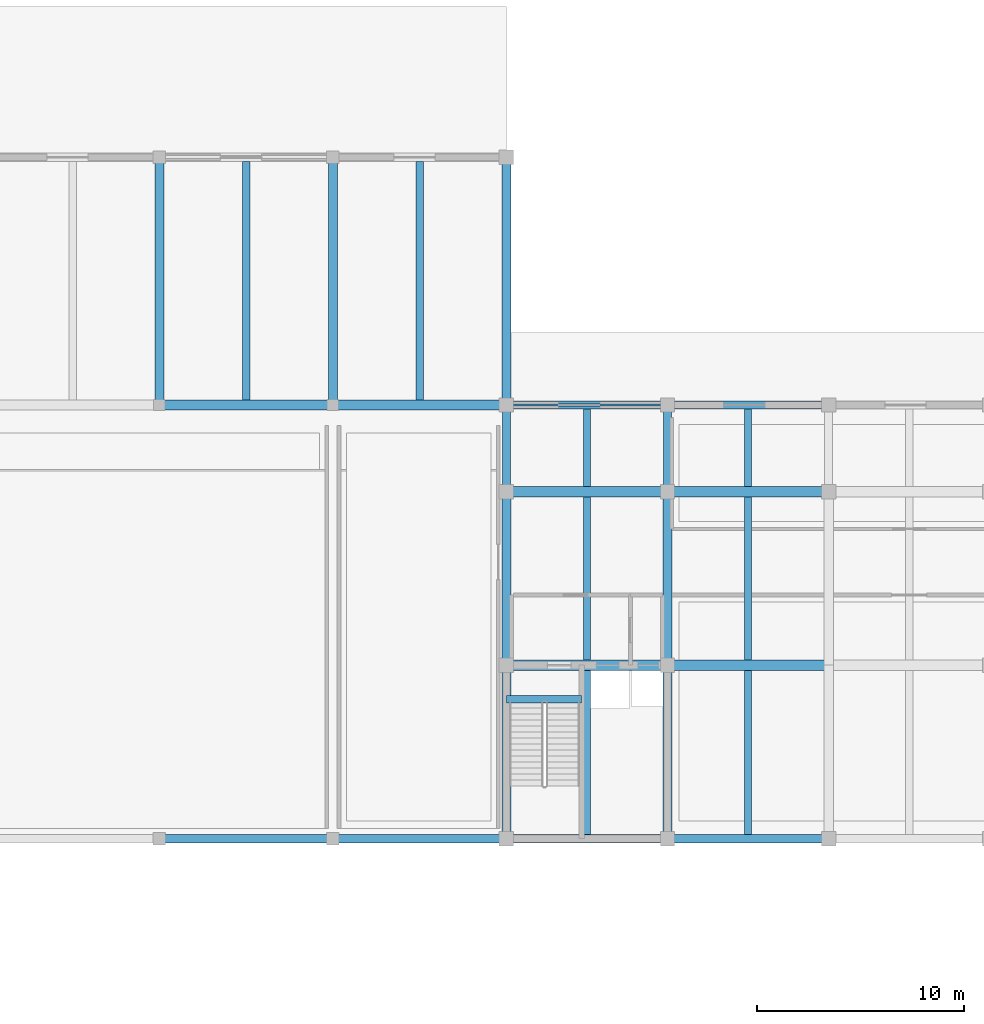
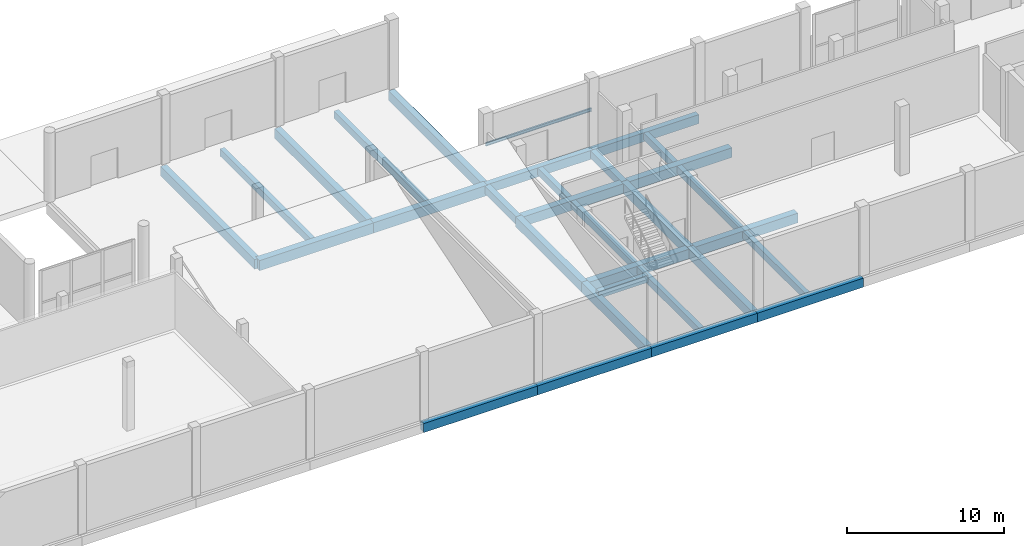
# One storey, part 16 of 41: 31 beams.
"""IFC4 building model written with IfcOpenShell, lengths in metres."""

from ifc_helpers import new_model, si_unit, direction, frame, origin, origin_2d, place, context, subcontext, project, spatial, rectangle, i_section, extrude, material, material_profile, profile_set, type_object, element, save


model = new_model("IFC4")

# Units and contexts
model_context = context("Model", 3, precision=1e-05, world=origin(), true_north=direction((0.0, 1.0)))
body_context = subcontext(model_context, "Body", "Model", "MODEL_VIEW")
ifc_project = project(units=[si_unit("LENGTHUNIT", "METRE"), si_unit("AREAUNIT", "SQUARE_METRE"), si_unit("VOLUMEUNIT", "CUBIC_METRE"), si_unit("PLANEANGLEUNIT", "RADIAN"), si_unit("MASSUNIT", "GRAM", prefix="KILO")], contexts=[model_context])

# Site, building, storey
site_placement = place(None, origin())
site = spatial("IfcSite", under=ifc_project, at=site_placement, CompositionType="ELEMENT")
building_placement = place(site_placement, origin())
building = spatial("IfcBuilding", under=site, at=building_placement, Name="Vharandega Faculty of Natural Sciences", CompositionType="ELEMENT")
storey_placement = place(building_placement, origin())
storey = spatial("IfcBuildingStorey", under=building, at=storey_placement, Name="L00", CompositionType="ELEMENT", Elevation=0.0)

# Beams
ifc_material_1 = material(Name="Concrete C40/50", Category="concrete")
ifc_material_profile_1 = material_profile(ifc_material_1, rectangle(XDim=0.5, YDim=0.800048828125, at=origin_2d()), Name="RC 500x800")
ifc_profile_set_1 = profile_set([ifc_material_profile_1], Name="Concrete C40/50")
beam_type_1 = type_object("IfcBeamType", Name="Podium Heavy Girder 500x800", PredefinedType="BEAM", material=ifc_profile_set_1)
beam_1_placement = place(storey_placement, frame((98.0, 85.0, -0.699951171875), z_axis=(1.0, 0.0, 0.0), x_axis=(0.0, 1.0, 0.0)))
element("IfcBeam", 1, at=beam_1_placement, inside=storey, type_object=beam_type_1, Name="Beam L00 M/13-14", PredefinedType="BEAM", context=body_context, shape_type="SweptSolid", body=[
    extrude(rectangle(XDim=0.5, YDim=0.800048828125, at=origin_2d()), origin(), (0.0, 0.0, 1.0), 8.39990234375),
])
beam_2_placement = place(storey_placement, frame((106.39990234375, 85.0, -0.699951171875), z_axis=(1.0, 0.0, 0.0), x_axis=(0.0, 1.0, 0.0)))
element("IfcBeam", 2, at=beam_2_placement, inside=storey, type_object=beam_type_1, Name="Beam L00 M/14-15", PredefinedType="BEAM", context=body_context, shape_type="SweptSolid", body=[
    extrude(rectangle(XDim=0.5, YDim=0.800048828125, at=origin_2d()), origin(), (0.0, 0.0, 1.0), 8.400146484375),
])
ifc_material_2 = material(Name="Concrete C40/50", Category="concrete")
ifc_material_profile_2 = material_profile(ifc_material_2, rectangle(XDim=0.5, YDim=0.75, at=origin_2d()), Name="RC 500x750")
ifc_profile_set_2 = profile_set([ifc_material_profile_2], Name="Concrete C40/50")
beam_type_2 = type_object("IfcBeamType", Name="Podium Primary Beam 500x750", PredefinedType="BEAM", material=ifc_profile_set_2)
beam_3_placement = place(storey_placement, frame((114.800048828125, 72.39990234375, -0.675048828125), z_axis=(1.0, 0.0, 0.0), x_axis=(0.0, 1.0, 0.0)))
element("IfcBeam", 3, at=beam_3_placement, inside=storey, type_object=beam_type_2, Name="Beam L00 K/15-16", PredefinedType="BEAM", context=body_context, shape_type="SweptSolid", body=[
    extrude(rectangle(XDim=0.5, YDim=0.75, at=origin_2d()), origin(), (0.0, 0.0, 1.0), 7.800048828125),
])
beam_4_placement = place(storey_placement, frame((122.60009765625, 72.39990234375, -0.675048828125), z_axis=(1.0, 0.0, 0.0), x_axis=(0.0, 1.0, 0.0)))
element("IfcBeam", 4, at=beam_4_placement, inside=storey, type_object=beam_type_2, Name="Beam L00 K/16-17", PredefinedType="BEAM", context=body_context, shape_type="SweptSolid", body=[
    extrude(rectangle(XDim=0.5, YDim=0.75, at=origin_2d()), origin(), (0.0, 0.0, 1.0), 7.7998046875),
])
beam_5_placement = place(storey_placement, frame((114.800048828125, 80.800048828125, -0.675048828125), z_axis=(1.0, 0.0, 0.0), x_axis=(0.0, 1.0, 0.0)))
element("IfcBeam", 5, at=beam_5_placement, inside=storey, type_object=beam_type_2, Name="Beam L00 L/15-16", PredefinedType="BEAM", context=body_context, shape_type="SweptSolid", body=[
    extrude(rectangle(XDim=0.5, YDim=0.75, at=origin_2d()), origin(), (0.0, 0.0, 1.0), 7.800048828125),
])
beam_6_placement = place(storey_placement, frame((122.60009765625, 80.800048828125, -0.675048828125), z_axis=(1.0, 0.0, 0.0), x_axis=(0.0, 1.0, 0.0)))
element("IfcBeam", 6, at=beam_6_placement, inside=storey, type_object=beam_type_2, Name="Beam L00 L/16-17", PredefinedType="BEAM", context=body_context, shape_type="SweptSolid", body=[
    extrude(rectangle(XDim=0.5, YDim=0.75, at=origin_2d()), origin(), (0.0, 0.0, 1.0), 7.7998046875),
])
ifc_material_3 = material(Name="Concrete C40/50", Category="concrete")
ifc_material_profile_3 = material_profile(ifc_material_3, rectangle(XDim=0.39990234375, YDim=0.60009765625, at=origin_2d()), Name="RC 400x600")
ifc_profile_set_3 = profile_set([ifc_material_profile_3], Name="Concrete C40/50")
beam_type_3 = type_object("IfcBeamType", Name="Podium Rib Beam 400x600", PredefinedType="BEAM", material=ifc_profile_set_3)
for number, where, z_axis, x_axis, name in (
    (7, (114.800048828125, 80.800048828125, -0.60009765625), (0.0, 1.0, 0.0), (-1.0, 0.0, 0.0), "Beam L00 15/L-M"),
    (8, (122.60009765625, 80.800048828125, -0.60009765625), (0.0, 1.0, 0.0), (-1.0, 0.0, 0.0), "Beam L00 16/L-M"),
):
    element("IfcBeam", number, at=place(storey_placement, frame(where, z_axis=z_axis, x_axis=x_axis)), inside=storey, type_object=beam_type_3, Name=name, PredefinedType="BEAM", context=body_context, shape_type="SweptSolid", body=[
        extrude(rectangle(XDim=0.39990234375, YDim=0.60009765625, at=origin_2d()), origin(), (0.0, 0.0, 1.0), 4.199951171875),
    ])
ifc_material_4 = material(Name="Concrete C40/50", Category="concrete")
ifc_material_profile_4 = material_profile(ifc_material_4, rectangle(XDim=0.35009765625, YDim=0.550048828125, at=origin_2d()), Name="RC 350x550")
ifc_profile_set_4 = profile_set([ifc_material_profile_4], Name="Concrete C40/50")
beam_type_4 = type_object("IfcBeamType", Name="Podium Secondary Beam 350x550", PredefinedType="JOIST", material=ifc_profile_set_4)
for number, where, z_axis, x_axis, name in (
    (9, (102.199951171875, 85.25, -0.574951171875), (0.0, 1.0, 0.0), (-1.0, 0.0, 0.0), "Secondary Joist L00 13-14/M-N"),
    (10, (110.60009765625, 85.25, -0.574951171875), (0.0, 1.0, 0.0), (-1.0, 0.0, 0.0), "Secondary Joist L00 14-15/M-N"),
):
    element("IfcBeam", number, at=place(storey_placement, frame(where, z_axis=z_axis, x_axis=x_axis)), inside=storey, type_object=beam_type_4, Name=name, PredefinedType="JOIST", context=body_context, shape_type="SweptSolid", body=[
        extrude(rectangle(XDim=0.35009765625, YDim=0.550048828125, at=origin_2d()), origin(), (0.0, 0.0, 1.0), 11.550048828125),
    ])
beam_7_placement = place(storey_placement, frame((118.699951171875, 64.199951171875, -0.574951171875), z_axis=(0.0, 1.0, 0.0), x_axis=(-1.0, 0.0, 0.0)))
element("IfcBeam", 11, at=beam_7_placement, inside=storey, type_object=beam_type_4, Name="Secondary Joist L00 15-16/J-K", PredefinedType="JOIST", context=body_context, shape_type="SweptSolid", body=[
    extrude(rectangle(XDim=0.35009765625, YDim=0.550048828125, at=origin_2d()), origin(), (0.0, 0.0, 1.0), 7.949951171875),
])
beam_8_placement = place(storey_placement, frame((118.699951171875, 72.64990234375, -0.574951171875), z_axis=(0.0, 1.0, 0.0), x_axis=(-1.0, 0.0, 0.0)))
element("IfcBeam", 12, at=beam_8_placement, inside=storey, type_object=beam_type_4, Name="Secondary Joist L00 15-16/K-L", PredefinedType="JOIST", context=body_context, shape_type="SweptSolid", body=[
    extrude(rectangle(XDim=0.35009765625, YDim=0.550048828125, at=origin_2d()), origin(), (0.0, 0.0, 1.0), 7.900146484375),
])
beam_9_placement = place(storey_placement, frame((118.699951171875, 81.050048828125, -0.574951171875), z_axis=(0.0, 1.0, 0.0), x_axis=(-1.0, 0.0, 0.0)))
element("IfcBeam", 13, at=beam_9_placement, inside=storey, type_object=beam_type_4, Name="Secondary Joist L00 15-16/L-M", PredefinedType="JOIST", context=body_context, shape_type="SweptSolid", body=[
    extrude(rectangle(XDim=0.35009765625, YDim=0.550048828125, at=origin_2d()), origin(), (0.0, 0.0, 1.0), 3.75),
])
beam_10_placement = place(storey_placement, frame((126.5, 64.199951171875, -0.574951171875), z_axis=(0.0, 1.0, 0.0), x_axis=(-1.0, 0.0, 0.0)))
element("IfcBeam", 14, at=beam_10_placement, inside=storey, type_object=beam_type_4, Name="Secondary Joist L00 16-17/J-K", PredefinedType="JOIST", context=body_context, shape_type="SweptSolid", body=[
    extrude(rectangle(XDim=0.35009765625, YDim=0.550048828125, at=origin_2d()), origin(), (0.0, 0.0, 1.0), 7.949951171875),
])
beam_11_placement = place(storey_placement, frame((126.5, 72.64990234375, -0.574951171875), z_axis=(0.0, 1.0, 0.0), x_axis=(-1.0, 0.0, 0.0)))
element("IfcBeam", 15, at=beam_11_placement, inside=storey, type_object=beam_type_4, Name="Secondary Joist L00 16-17/K-L", PredefinedType="JOIST", context=body_context, shape_type="SweptSolid", body=[
    extrude(rectangle(XDim=0.35009765625, YDim=0.550048828125, at=origin_2d()), origin(), (0.0, 0.0, 1.0), 7.900146484375),
])
beam_12_placement = place(storey_placement, frame((126.5, 81.050048828125, -0.574951171875), z_axis=(0.0, 1.0, 0.0), x_axis=(-1.0, 0.0, 0.0)))
element("IfcBeam", 16, at=beam_12_placement, inside=storey, type_object=beam_type_4, Name="Secondary Joist L00 16-17/L-M", PredefinedType="JOIST", context=body_context, shape_type="SweptSolid", body=[
    extrude(rectangle(XDim=0.35009765625, YDim=0.550048828125, at=origin_2d()), origin(), (0.0, 0.0, 1.0), 3.75),
])
ifc_material_5 = material(Name="Concrete C40/50", Category="concrete")
ifc_material_profile_5 = material_profile(ifc_material_5, rectangle(XDim=0.39990234375, YDim=0.699951171875, at=origin_2d()), Name="RC 400x700")
ifc_profile_set_5 = profile_set([ifc_material_profile_5], Name="Concrete C40/50")
beam_type_5 = type_object("IfcBeamType", Name="Podium Spandrel Beam 400x700", PredefinedType="SPANDREL", material=ifc_profile_set_5)
beam_13_placement = place(storey_placement, frame((98.0, 64.0, -0.64990234375), z_axis=(1.0, 0.0, 0.0), x_axis=(0.0, 1.0, 0.0)))
element("IfcBeam", 17, at=beam_13_placement, inside=storey, type_object=beam_type_5, Name="Beam L00 J/13-14", PredefinedType="SPANDREL", context=body_context, shape_type="SweptSolid", body=[
    extrude(rectangle(XDim=0.39990234375, YDim=0.699951171875, at=origin_2d()), origin(), (0.0, 0.0, 1.0), 8.39990234375),
])
beam_14_placement = place(storey_placement, frame((106.39990234375, 64.0, -0.64990234375), z_axis=(1.0, 0.0, 0.0), x_axis=(0.0, 1.0, 0.0)))
element("IfcBeam", 18, at=beam_14_placement, inside=storey, type_object=beam_type_5, Name="Beam L00 J/14-15", PredefinedType="SPANDREL", context=body_context, shape_type="SweptSolid", body=[
    extrude(rectangle(XDim=0.39990234375, YDim=0.699951171875, at=origin_2d()), origin(), (0.0, 0.0, 1.0), 8.400146484375),
])
beam_15_placement = place(storey_placement, frame((114.800048828125, 64.0, -0.64990234375), z_axis=(1.0, 0.0, 0.0), x_axis=(0.0, 1.0, 0.0)))
element("IfcBeam", 19, at=beam_15_placement, inside=storey, type_object=beam_type_5, Name="Beam L00 J/15-16", PredefinedType="SPANDREL", context=body_context, shape_type="SweptSolid", body=[
    extrude(rectangle(XDim=0.39990234375, YDim=0.699951171875, at=origin_2d()), origin(), (0.0, 0.0, 1.0), 7.800048828125),
])
beam_16_placement = place(storey_placement, frame((122.60009765625, 64.0, -0.64990234375), z_axis=(1.0, 0.0, 0.0), x_axis=(0.0, 1.0, 0.0)))
element("IfcBeam", 20, at=beam_16_placement, inside=storey, type_object=beam_type_5, Name="Beam L00 J/16-17", PredefinedType="SPANDREL", context=body_context, shape_type="SweptSolid", body=[
    extrude(rectangle(XDim=0.39990234375, YDim=0.699951171875, at=origin_2d()), origin(), (0.0, 0.0, 1.0), 7.7998046875),
])
beam_17_placement = place(storey_placement, frame((114.800048828125, 85.0, -0.64990234375), z_axis=(1.0, 0.0, 0.0), x_axis=(0.0, 1.0, 0.0)))
element("IfcBeam", 21, at=beam_17_placement, inside=storey, type_object=beam_type_5, Name="Beam L00 M/15-16", PredefinedType="SPANDREL", context=body_context, shape_type="SweptSolid", body=[
    extrude(rectangle(XDim=0.39990234375, YDim=0.699951171875, at=origin_2d()), origin(), (0.0, 0.0, 1.0), 7.800048828125),
])
beam_18_placement = place(storey_placement, frame((122.60009765625, 85.0, -0.64990234375), z_axis=(1.0, 0.0, 0.0), x_axis=(0.0, 1.0, 0.0)))
element("IfcBeam", 22, at=beam_18_placement, inside=storey, type_object=beam_type_5, Name="Beam L00 M/16-17", PredefinedType="SPANDREL", context=body_context, shape_type="SweptSolid", body=[
    extrude(rectangle(XDim=0.39990234375, YDim=0.699951171875, at=origin_2d()), origin(), (0.0, 0.0, 1.0), 7.7998046875),
])
ifc_material_6 = material(Name="Concrete C40/50", Category="concrete")
ifc_material_profile_6 = material_profile(ifc_material_6, rectangle(XDim=0.449951171875, YDim=0.75, at=origin_2d()), Name="RC 450x750")
ifc_profile_set_6 = profile_set([ifc_material_profile_6], Name="Concrete C40/50")
beam_type_6 = type_object("IfcBeamType", Name="Podium Spine Beam 450x750", PredefinedType="BEAM", material=ifc_profile_set_6)
for number, where, z_axis, x_axis, name in (
    (23, (98.0, 85.0, -0.675048828125), (0.0, 1.0, 0.0), (-1.0, 0.0, 0.0), "Beam L00 13/M-N"),
    (24, (106.39990234375, 85.0, -0.675048828125), (0.0, 1.0, 0.0), (-1.0, 0.0, 0.0), "Beam L00 14/M-N"),
):
    element("IfcBeam", number, at=place(storey_placement, frame(where, z_axis=z_axis, x_axis=x_axis)), inside=storey, type_object=beam_type_6, Name=name, PredefinedType="BEAM", context=body_context, shape_type="SweptSolid", body=[
        extrude(rectangle(XDim=0.449951171875, YDim=0.75, at=origin_2d()), origin(), (0.0, 0.0, 1.0), 12.0),
    ])
beam_19_placement = place(storey_placement, frame((114.800048828125, 64.0, -0.675048828125), z_axis=(0.0, 1.0, 0.0), x_axis=(-1.0, 0.0, 0.0)))
element("IfcBeam", 25, at=beam_19_placement, inside=storey, type_object=beam_type_6, Name="Beam L00 15/J-K", PredefinedType="BEAM", context=body_context, shape_type="SweptSolid", body=[
    extrude(rectangle(XDim=0.449951171875, YDim=0.75, at=origin_2d()), origin(), (0.0, 0.0, 1.0), 8.39990234375),
])
beam_20_placement = place(storey_placement, frame((114.800048828125, 72.39990234375, -0.675048828125), z_axis=(0.0, 1.0, 0.0), x_axis=(-1.0, 0.0, 0.0)))
element("IfcBeam", 26, at=beam_20_placement, inside=storey, type_object=beam_type_6, Name="Beam L00 15/K-L", PredefinedType="BEAM", context=body_context, shape_type="SweptSolid", body=[
    extrude(rectangle(XDim=0.449951171875, YDim=0.75, at=origin_2d()), origin(), (0.0, 0.0, 1.0), 8.400146484375),
])
beam_21_placement = place(storey_placement, frame((114.800048828125, 85.0, -0.675048828125), z_axis=(0.0, 1.0, 0.0), x_axis=(-1.0, 0.0, 0.0)))
element("IfcBeam", 27, at=beam_21_placement, inside=storey, type_object=beam_type_6, Name="Beam L00 15/M-N", PredefinedType="BEAM", context=body_context, shape_type="SweptSolid", body=[
    extrude(rectangle(XDim=0.449951171875, YDim=0.75, at=origin_2d()), origin(), (0.0, 0.0, 1.0), 12.0),
])
beam_22_placement = place(storey_placement, frame((122.60009765625, 64.0, -0.675048828125), z_axis=(0.0, 1.0, 0.0), x_axis=(-1.0, 0.0, 0.0)))
element("IfcBeam", 28, at=beam_22_placement, inside=storey, type_object=beam_type_6, Name="Beam L00 16/J-K", PredefinedType="BEAM", context=body_context, shape_type="SweptSolid", body=[
    extrude(rectangle(XDim=0.449951171875, YDim=0.75, at=origin_2d()), origin(), (0.0, 0.0, 1.0), 8.39990234375),
])
beam_23_placement = place(storey_placement, frame((122.60009765625, 72.39990234375, -0.675048828125), z_axis=(0.0, 1.0, 0.0), x_axis=(-1.0, 0.0, 0.0)))
element("IfcBeam", 29, at=beam_23_placement, inside=storey, type_object=beam_type_6, Name="Beam L00 16/K-L", PredefinedType="BEAM", context=body_context, shape_type="SweptSolid", body=[
    extrude(rectangle(XDim=0.449951171875, YDim=0.75, at=origin_2d()), origin(), (0.0, 0.0, 1.0), 8.400146484375),
])
ifc_material_7 = material(Name="Concrete C40/50", Category="concrete")
ifc_material_profile_7 = material_profile(ifc_material_7, rectangle(XDim=0.35009765625, YDim=0.550048828125, at=origin_2d()), Name="RC 350x550")
ifc_profile_set_7 = profile_set([ifc_material_profile_7], Name="Concrete C40/50")
beam_type_7 = type_object("IfcBeamType", Name="Stair Header Trimmer Beam 350x550", PredefinedType="BEAM", material=ifc_profile_set_7)
beam_24_placement = place(storey_placement, frame((114.800048828125, 70.75, -0.27490234375), z_axis=(1.0, 0.0, 0.0), x_axis=(0.0, 1.0, 0.0)))
element("IfcBeam", 30, at=beam_24_placement, inside=storey, type_object=beam_type_7, Name="Stair Landing Trimmer Beam C1 L00", PredefinedType="BEAM", context=body_context, shape_type="SweptSolid", body=[
    extrude(rectangle(XDim=0.35009765625, YDim=0.550048828125, at=origin_2d()), origin(), (0.0, 0.0, 1.0), 3.639892578125),
])
ifc_material_8 = material(Name="Steel S355", Category="steel")
ifc_material_profile_8 = material_profile(ifc_material_8, i_section(OverallWidth=0.1201171875, OverallDepth=0.239990234375, WebThickness=0.006103515625, FlangeThickness=0.009765625, FilletRadius=0.014892578125, at=origin_2d()), Name="IPE 240")
ifc_profile_set_8 = profile_set([ifc_material_profile_8], Name="Steel S355")
beam_type_8 = type_object("IfcBeamType", Name="Steel Opening Lintel IPE 240", PredefinedType="LINTEL", material=ifc_profile_set_8)
beam_25_placement = place(storey_placement, frame((114.800048828125, 85.0, 2.72998046875), z_axis=(1.0, 0.0, 0.0), x_axis=(0.0, 1.0, 0.0)))
element("IfcBeam", 31, at=beam_25_placement, inside=storey, type_object=beam_type_8, Name="Opening Lintel L00-05", PredefinedType="LINTEL", context=body_context, shape_type="SweptSolid", body=[
    extrude(i_section(OverallWidth=0.1201171875, OverallDepth=0.239990234375, WebThickness=0.006103515625, FlangeThickness=0.009765625, FilletRadius=0.014892578125, at=origin_2d()), origin(), (0.0, 0.0, 1.0), 7.800048828125),
])

save(model, "model.ifc")
